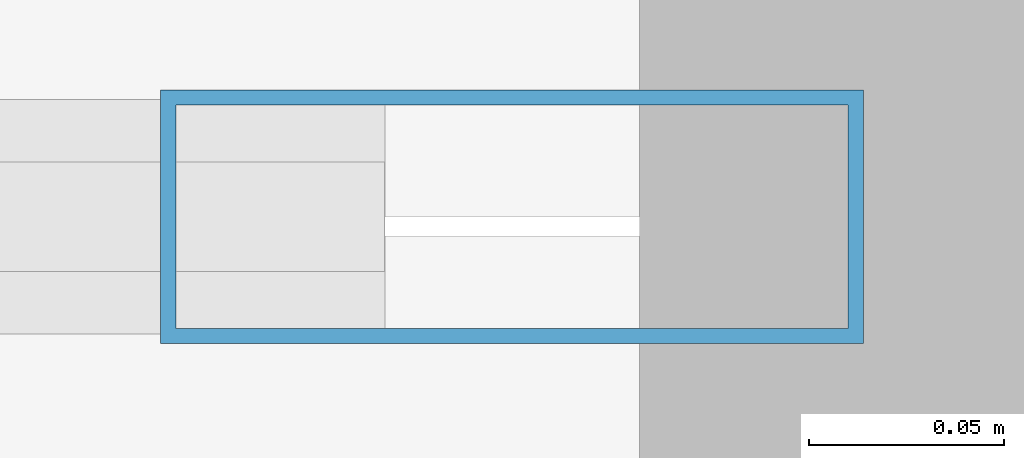
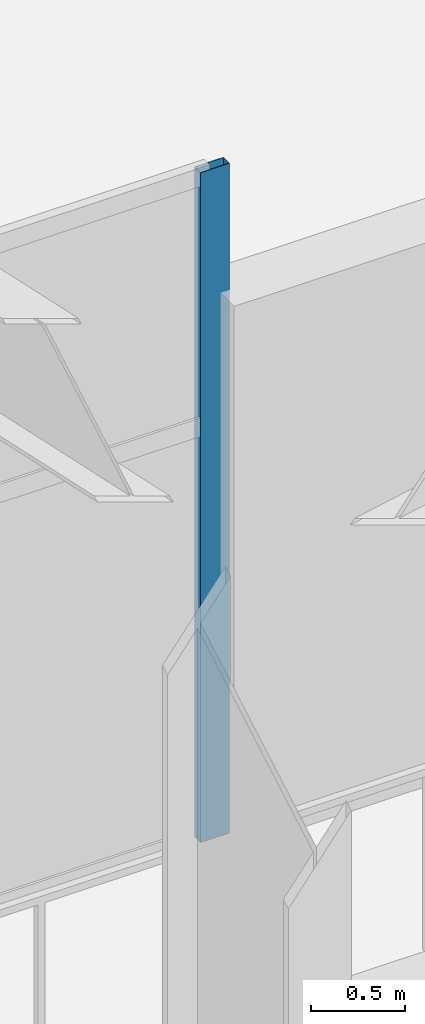
# One storey, part 16 of 35: 1 member, 1 element without a shape of its own.
"""IFC4 building model written with IfcOpenShell, lengths in metres."""

from ifc_helpers import new_model, si_unit, direction, frame, origin, origin_2d, place, context, subcontext, project, spatial, hollow_rectangle, extrude, material, layer, layer_set, material_profile, profile_set, type_object, element, aggregate, save


model = new_model("IFC4")

# Units and contexts
model_context = context("Model", 3, precision=1e-05, world=origin(), true_north=direction((0.0, 1.0)))
body_context = subcontext(model_context, "Body", "Model", "MODEL_VIEW")
ifc_project = project(units=[si_unit("LENGTHUNIT", "METRE"), si_unit("AREAUNIT", "SQUARE_METRE"), si_unit("VOLUMEUNIT", "CUBIC_METRE"), si_unit("PLANEANGLEUNIT", "RADIAN"), si_unit("MASSUNIT", "GRAM", prefix="KILO")], contexts=[model_context])

# Site, building, storey
site_placement = place(None, origin())
site = spatial("IfcSite", under=ifc_project, at=site_placement, CompositionType="ELEMENT")
building_placement = place(site_placement, origin())
building = spatial("IfcBuilding", under=site, at=building_placement, Name="Haevon Station Towers", CompositionType="ELEMENT")
storey_placement = place(building_placement, frame((0.0, 0.0, 20.39990234375)))
storey = spatial("IfcBuildingStorey", under=building, at=storey_placement, Name="L04", CompositionType="ELEMENT", Elevation=20.39990234375)

# Curtain wall, member
ifc_material_1 = material(Name="Anodised aluminium and Low-E double glazing", Category="aluminium")
ifc_layer = layer(ifc_material_1, 0.179931640625)
ifc_layer_set = layer_set([ifc_layer], Name="Anodised aluminium and Low-E double glazing")
curtain_wall_type = type_object("IfcCurtainWallType", Name="CW-SYS2", PredefinedType="NOTDEFINED", material=ifc_layer_set)
curtain_wall_placement = place(storey_placement, origin())
curtain_wall = element("IfcCurtainWall", 1, at=curtain_wall_placement, inside=storey, type_object=curtain_wall_type, Name="L04 Curtain Wall CW-POD-L04-S1", PredefinedType="NOTDEFINED")
ifc_material_2 = material(Name="Anodised aluminium 6063-T6", Category="aluminium")
ifc_material_profile = material_profile(ifc_material_2, hollow_rectangle(XDim=0.06494140625, YDim=0.179931640625, WallThickness=0.00390625, at=origin_2d()), Name="CWM-180x65x4")
ifc_profile_set = profile_set([ifc_material_profile], Name="Anodised aluminium 6063-T6")
member_type = type_object("IfcMemberType", Name="CWM-180", PredefinedType="MULLION", material=ifc_profile_set)
member_placement = place(storey_placement, frame((104.967529296875, 16.5, 0.0), z_axis=(0.0, 0.0, 1.0), x_axis=(0.0, -1.0, 0.0)))
member = element("IfcMember", 2, at=member_placement, type_object=member_type, Name="CW-SYS2 mullion 1", PredefinedType="MULLION", context=body_context, shape_type="SweptSolid", body=[
    extrude(hollow_rectangle(XDim=0.06494140625, YDim=0.179931640625, WallThickness=0.00390625, at=origin_2d()), origin(), (0.0, 0.0, 1.0), 4.35009765625),
])
aggregate(curtain_wall, [member])

save(model, "model.ifc")
